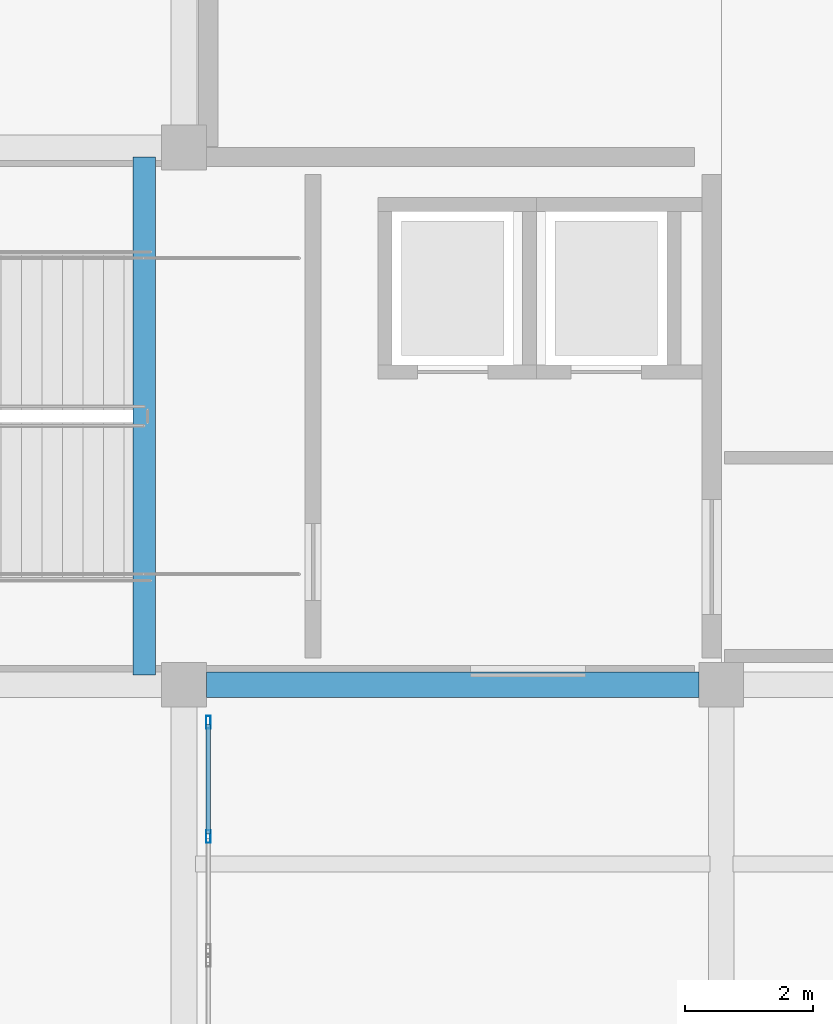
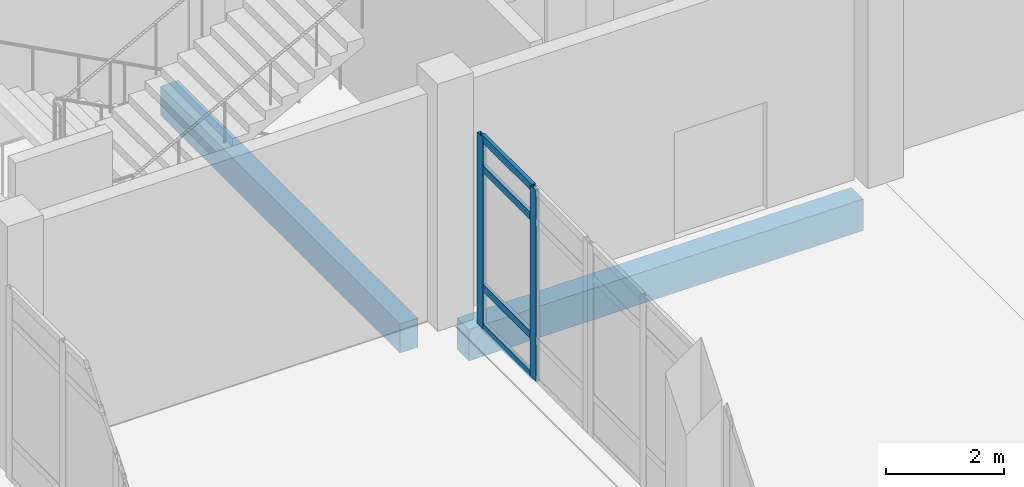
# One storey, part 18 of 64: 6 members, 2 beams, 1 element without a shape of its own.
"""IFC4 building model written with IfcOpenShell, lengths in metres."""

from ifc_helpers import new_model, si_unit, derived_unit, direction, frame, origin, origin_2d, place, context, subcontext, project, spatial, rectangle, hollow_rectangle, extrude, material, layer, layer_set, material_profile, profile_set, type_object, element, aggregate, save


model = new_model("IFC4")

# Units and contexts
model_context = context("Model", 3, precision=1e-05, world=origin(), true_north=direction((0.0, 1.0)))
body_context = subcontext(model_context, "Body", "Model", "MODEL_VIEW")
ifc_project = project(units=[si_unit("LENGTHUNIT", "METRE"), si_unit("AREAUNIT", "SQUARE_METRE"), si_unit("VOLUMEUNIT", "CUBIC_METRE"), si_unit("PLANEANGLEUNIT", "RADIAN"), si_unit("MASSUNIT", "GRAM", prefix="KILO"), derived_unit("THERMALTRANSMITTANCEUNIT", [(si_unit("POWERUNIT", "WATT"), 1), (si_unit("LENGTHUNIT", "METRE"), -2), (si_unit("THERMODYNAMICTEMPERATUREUNIT", "KELVIN"), -1)])], contexts=[model_context])

# Site, building, storey
site_placement = place(None, origin())
site = spatial("IfcSite", under=ifc_project, at=site_placement, CompositionType="ELEMENT")
building_placement = place(site_placement, origin())
building = spatial("IfcBuilding", under=site, at=building_placement, Name="Elbkamm Science Centre", CompositionType="ELEMENT")
storey_placement = place(building_placement, origin())
storey = spatial("IfcBuildingStorey", under=building, at=storey_placement, Name="L00", CompositionType="ELEMENT", Elevation=0.0)

# Beams
ifc_material_1 = material(Name="Concrete C40/50", Category="concrete")
ifc_material_profile_1 = material_profile(ifc_material_1, rectangle(XDim=0.35009765625, YDim=0.60009765625, at=origin_2d()), Name="RC 350x600")
ifc_profile_set_1 = profile_set([ifc_material_profile_1], Name="Concrete C40/50")
beam_type_1 = type_object("IfcBeamType", Name="BM-RC-350x600", PredefinedType="BEAM", material=ifc_profile_set_1)
beam_1_placement = place(storey_placement, frame((133.780029296875, 50.550048828125, -0.300048828125), z_axis=(0.0, 1.0, 0.0), x_axis=(-1.0, 0.0, 0.0)))
element("IfcBeam", 1, at=beam_1_placement, inside=storey, type_object=beam_type_1, Name="L00 ST-C3 Landing Trimmer Beam", PredefinedType="BEAM", context=body_context, shape_type="SweptSolid", body=[
    extrude(rectangle(XDim=0.35009765625, YDim=0.60009765625, at=origin_2d()), origin(), (0.0, 0.0, 1.0), 8.099853515625),
])
ifc_material_profile_2 = material_profile(ifc_material_1, rectangle(XDim=0.39990234375, YDim=0.64990234375, at=origin_2d()), Name="RC 400x650")
ifc_profile_set_2 = profile_set([ifc_material_profile_2], Name="Concrete C40/50")
beam_type_2 = type_object("IfcBeamType", Name="BM-RC-400x650", PredefinedType="BEAM", material=ifc_profile_set_2)
beam_2_placement = place(storey_placement, frame((134.75, 50.39990234375, -0.625), z_axis=(1.0, 0.0, 0.0), x_axis=(0.0, 1.0, 0.0)))
element("IfcBeam", 2, at=beam_2_placement, inside=storey, type_object=beam_type_2, Name="L00 Primary X-Girder 055", PredefinedType="BEAM", context=body_context, shape_type="SweptSolid", body=[
    extrude(rectangle(XDim=0.39990234375, YDim=0.64990234375, at=origin_2d()), origin(), (0.0, 0.0, 1.0), 7.699951171875),
])

# Curtain wall, members
ifc_material_2 = material(Name="Powder-coated aluminium and triple low-E glazing", Category="aluminium")
ifc_layer = layer(ifc_material_2, 0.159912109375)
ifc_layer_set = layer_set([ifc_layer], Name="Powder-coated aluminium and triple low-E glazing")
curtain_wall_type = type_object("IfcCurtainWallType", Name="CW-UNIT-3640x3960", PredefinedType="USERDEFINED", material=ifc_layer_set)
curtain_wall_placement = place(storey_placement, origin())
curtain_wall = element("IfcCurtainWall", 3, at=curtain_wall_placement, inside=storey, type_object=curtain_wall_type, Name="L00 Unitised Curtain Wall 135", ObjectType="UNITISED CURTAIN WALL", PredefinedType="USERDEFINED")
ifc_material_3 = material(Name="Powder-coated aluminium EN AW-6060", Category="aluminium")
ifc_material_profile_3 = material_profile(ifc_material_3, hollow_rectangle(XDim=0.070068359375, YDim=0.199951171875, WallThickness=0.00439453125, at=origin_2d()), Name="ALU M70x200")
ifc_profile_set_3 = profile_set([ifc_material_profile_3], Name="Powder-coated aluminium EN AW-6060")
member_type_1 = type_object("IfcMemberType", Name="CW-MUL-70x200", PredefinedType="MULLION", material=ifc_profile_set_3)
member_1_placement = place(storey_placement, frame((134.780029296875, 48.029052734375, 0.0), z_axis=(0.0, 0.0, 1.0), x_axis=(-1.0, 0.0, 0.0)))
member_1 = element("IfcMember", 4, at=member_1_placement, type_object=member_type_1, Name="CW-063 mullion 2", PredefinedType="MULLION", context=body_context, shape_type="SweptSolid", body=[
    extrude(hollow_rectangle(XDim=0.070068359375, YDim=0.199951171875, WallThickness=0.00439453125, at=origin_2d()), origin(), (0.0, 0.0, 1.0), 3.949951171875),
])
member_2_placement = place(storey_placement, frame((134.780029296875, 49.81494140625, 0.0), z_axis=(0.0, 0.0, 1.0), x_axis=(-1.0, 0.0, 0.0)))
member_2 = element("IfcMember", 5, at=member_2_placement, type_object=member_type_1, Name="CW-063 mullion 3", PredefinedType="MULLION", context=body_context, shape_type="SweptSolid", body=[
    extrude(hollow_rectangle(XDim=0.070068359375, YDim=0.199951171875, WallThickness=0.00439453125, at=origin_2d()), origin(), (0.0, 0.0, 1.0), 3.949951171875),
])
ifc_material_profile_4 = material_profile(ifc_material_3, hollow_rectangle(XDim=0.070068359375, YDim=0.14990234375, WallThickness=0.00390625, at=origin_2d()), Name="ALU T70x150")
ifc_profile_set_4 = profile_set([ifc_material_profile_4], Name="Powder-coated aluminium EN AW-6060")
member_type_2 = type_object("IfcMemberType", Name="CW-TRN-70x150", PredefinedType="USERDEFINED", material=ifc_profile_set_4)
member_3_placement = place(storey_placement, frame((134.780029296875, 48.06396484375, 0.034912109375), z_axis=(0.0, 1.0, 0.0), x_axis=(-1.0, 0.0, 0.0)))
member_3 = element("IfcMember", 6, at=member_3_placement, type_object=member_type_2, Name="CW-063 transom 2.1", ObjectType="TRANSOM", PredefinedType="USERDEFINED", context=body_context, shape_type="SweptSolid", body=[
    extrude(hollow_rectangle(XDim=0.070068359375, YDim=0.14990234375, WallThickness=0.00390625, at=origin_2d()), origin(), (0.0, 0.0, 1.0), 1.716064453125),
])
member_4_placement = place(storey_placement, frame((134.780029296875, 48.06396484375, 0.85009765625), z_axis=(0.0, 1.0, 0.0), x_axis=(-1.0, 0.0, 0.0)))
member_4 = element("IfcMember", 7, at=member_4_placement, type_object=member_type_2, Name="CW-063 transom 2.2", ObjectType="TRANSOM", PredefinedType="USERDEFINED", context=body_context, shape_type="SweptSolid", body=[
    extrude(hollow_rectangle(XDim=0.070068359375, YDim=0.14990234375, WallThickness=0.00390625, at=origin_2d()), origin(), (0.0, 0.0, 1.0), 1.716064453125),
])
member_5_placement = place(storey_placement, frame((134.780029296875, 48.06396484375, 3.300048828125), z_axis=(0.0, 1.0, 0.0), x_axis=(-1.0, 0.0, 0.0)))
member_5 = element("IfcMember", 8, at=member_5_placement, type_object=member_type_2, Name="CW-063 transom 2.3", ObjectType="TRANSOM", PredefinedType="USERDEFINED", context=body_context, shape_type="SweptSolid", body=[
    extrude(hollow_rectangle(XDim=0.070068359375, YDim=0.14990234375, WallThickness=0.00390625, at=origin_2d()), origin(), (0.0, 0.0, 1.0), 1.716064453125),
])
member_6_placement = place(storey_placement, frame((134.780029296875, 48.06396484375, 3.9150390625), z_axis=(0.0, 1.0, 0.0), x_axis=(-1.0, 0.0, 0.0)))
member_6 = element("IfcMember", 9, at=member_6_placement, type_object=member_type_2, Name="CW-063 transom 2.4", ObjectType="TRANSOM", PredefinedType="USERDEFINED", context=body_context, shape_type="SweptSolid", body=[
    extrude(hollow_rectangle(XDim=0.070068359375, YDim=0.14990234375, WallThickness=0.00390625, at=origin_2d()), origin(), (0.0, 0.0, 1.0), 1.716064453125),
])
aggregate(curtain_wall, [member_1, member_2, member_3, member_4, member_5, member_6])

save(model, "model.ifc")
